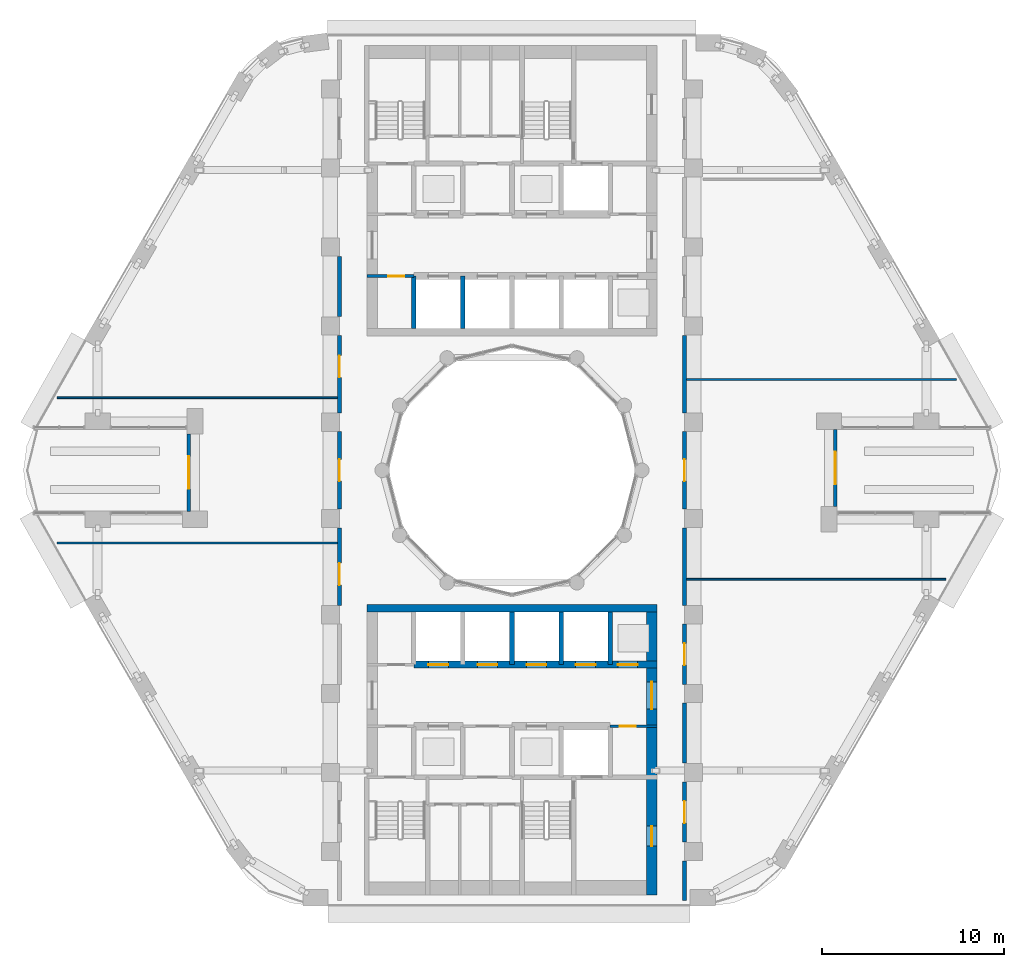
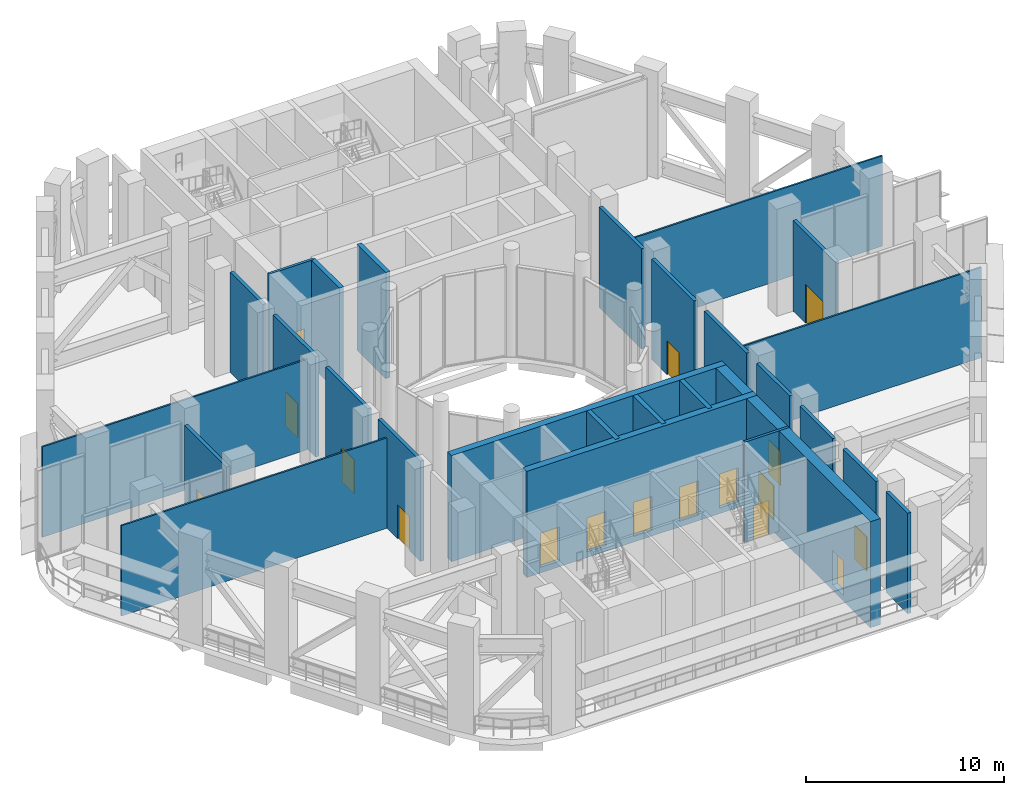
# One storey, part 9 of 21: 27 walls, 17 doors, 17 openings.
"""IFC4 building model written with IfcOpenShell, lengths in metres."""

from ifc_helpers import new_model, si_unit, direction, frame, frame_2d, origin, place, context, subcontext, project, spatial, rectangle, extrude, material, layer, layer_set, type_object, element, fill, save


model = new_model("IFC4")

# Units and contexts
model_context = context("Model", 3, precision=1e-05, world=origin(), true_north=direction((0.0, 1.0)))
body_context = subcontext(model_context, "Body", "Model", "MODEL_VIEW")
ifc_project = project(units=[si_unit("LENGTHUNIT", "METRE"), si_unit("AREAUNIT", "SQUARE_METRE"), si_unit("VOLUMEUNIT", "CUBIC_METRE"), si_unit("PLANEANGLEUNIT", "RADIAN"), si_unit("MASSUNIT", "GRAM", prefix="KILO")], contexts=[model_context])

# Site, building, storey
site_placement = place(None, origin())
site = spatial("IfcSite", under=ifc_project, at=site_placement, CompositionType="ELEMENT")
building_placement = place(site_placement, origin())
building = spatial("IfcBuilding", under=site, at=building_placement, Name="Nakaniwa Court", CompositionType="ELEMENT")
storey_placement = place(building_placement, frame((0.0, 0.0, 120.60009765625)))
storey = spatial("IfcBuildingStorey", under=building, at=storey_placement, Name="S2", CompositionType="ELEMENT", Elevation=120.60009765625)

# Wall
ifc_material_1 = material(Name="Acoustic double stud partition")
ifc_layer_1 = layer(ifc_material_1, 0.199951171875)
ifc_layer_set_1 = layer_set([ifc_layer_1], Name="Acoustic double stud partition")
wall_type_1 = type_object("IfcWallType", Name="Acoustic double stud partition 200", PredefinedType="PARTITIONING", material=ifc_layer_set_1)
wall_1_placement = place(storey_placement, frame((89.5, 56.300048828125, 0.0), z_axis=(0.0, 0.0, 1.0), x_axis=(0.0, 1.0, 0.0)))
element("IfcWall", 1, at=wall_1_placement, inside=storey, type_object=wall_type_1, Name="Partition PW-065", PredefinedType="PARTITIONING", context=body_context, shape_type="SweptSolid", body=[
    extrude(rectangle(XDim=2.182861328125, YDim=0.199951171875, at=frame_2d((1.09130859375, 0.0))), origin(), (0.0, 0.0, 1.0), 6.18994140625),
])

# Wall, opening, door
wall_2_placement = place(storey_placement, frame((89.5, 62.8330078125, 0.0), z_axis=(0.0, 0.0, 1.0), x_axis=(0.0, -1.0, 0.0)))
wall_2 = element("IfcWall", 2, at=wall_2_placement, inside=storey, type_object=wall_type_1, Name="Partition PW-066", PredefinedType="PARTITIONING", context=body_context, shape_type="SweptSolid", body=[
    extrude(rectangle(XDim=3.31591796875, YDim=0.199951171875, at=frame_2d((1.657958984375, 0.0))), origin(), (0.0, 0.0, 1.0), 6.18994140625),
])
opening_1_placement = place(wall_2_placement, frame((1.05810546875, 0.0, 0.0)))
opening_1 = element("IfcOpeningElement", 3, at=opening_1_placement, cuts=wall_2, Name="Opening D-35-01", PredefinedType="OPENING", context=body_context, shape_type="SweptSolid", body=[
    extrude(rectangle(XDim=1.199951171875, YDim=2.10009765625, at=frame_2d((0.60009765625, 1.050048828125))), frame((0.0, 0.10986328125, 0.0), z_axis=(0.0, -1.0, 0.0), x_axis=(1.0, 0.0, 0.0)), (0.0, 0.0, 1.0), 0.219970703125),
])
ifc_material_2 = material(Name="Fire rated steel door set", Category="steel")
door_type_1 = type_object("IfcDoorType", Name="Service room door 1200", OperationType="NOTDEFINED", PredefinedType="DOOR", material=ifc_material_2)
door_1_placement = place(opening_1_placement, origin())
door_1 = element("IfcDoor", 4, at=door_1_placement, inside=storey, type_object=door_type_1, Name="Door D-35-01 S2-021", OperationType="SINGLE_SWING_RIGHT", OverallHeight=2.10009765625, OverallWidth=1.199951171875, PredefinedType="DOOR", context=body_context, shape_type="SweptSolid", body=[
    extrude(rectangle(XDim=1.199951171875, YDim=2.10009765625, at=frame_2d((0.60009765625, 1.050048828125))), frame((0.0, 0.02490234375, 0.0), z_axis=(0.0, -1.0, 0.0), x_axis=(1.0, 0.0, 0.0)), (0.0, 0.0, 1.0), 0.050048828125),
])
fill(opening_1, door_1)

# Wall
wall_3_placement = place(storey_placement, frame((89.5, 63.8798828125, 0.0), z_axis=(0.0, 0.0, 1.0), x_axis=(0.0, 1.0, 0.0)))
element("IfcWall", 5, at=wall_3_placement, inside=storey, type_object=wall_type_1, Name="Partition PW-067", PredefinedType="PARTITIONING", context=body_context, shape_type="SweptSolid", body=[
    extrude(rectangle(XDim=3.30322265625, YDim=0.199951171875, at=frame_2d((1.651611328125, 0.0))), origin(), (0.0, 0.0, 1.0), 6.18994140625),
])

# Wall, opening, door
wall_4_placement = place(storey_placement, frame((89.5, 71.532958984375, 0.0), z_axis=(0.0, 0.0, 1.0), x_axis=(0.0, -1.0, 0.0)))
wall_4 = element("IfcWall", 6, at=wall_4_placement, inside=storey, type_object=wall_type_1, Name="Partition PW-068", PredefinedType="PARTITIONING", context=body_context, shape_type="SweptSolid", body=[
    extrude(rectangle(XDim=3.31591796875, YDim=0.199951171875, at=frame_2d((1.657958984375, 0.0))), origin(), (0.0, 0.0, 1.0), 6.18994140625),
])
opening_2_placement = place(wall_4_placement, frame((1.05810546875, 0.0, 0.0)))
opening_2 = element("IfcOpeningElement", 7, at=opening_2_placement, cuts=wall_4, Name="Opening D-30-01", PredefinedType="OPENING", context=body_context, shape_type="SweptSolid", body=[
    extrude(rectangle(XDim=1.199951171875, YDim=2.10009765625, at=frame_2d((0.60009765625, 1.050048828125))), frame((0.0, 0.10986328125, 0.0), z_axis=(0.0, -1.0, 0.0), x_axis=(1.0, 0.0, 0.0)), (0.0, 0.0, 1.0), 0.219970703125),
])
ifc_material_3 = material(Name="Solid core timber door set, black veneer", Category="wood")
door_type_2 = type_object("IfcDoorType", Name="Internal door 1200", OperationType="NOTDEFINED", PredefinedType="DOOR", material=ifc_material_3)
door_2_placement = place(opening_2_placement, origin())
door_2 = element("IfcDoor", 8, at=door_2_placement, inside=storey, type_object=door_type_2, Name="Door D-30-01 S2-022", OperationType="SINGLE_SWING_LEFT", OverallHeight=2.10009765625, OverallWidth=1.199951171875, PredefinedType="DOOR", context=body_context, shape_type="SweptSolid", body=[
    extrude(rectangle(XDim=1.199951171875, YDim=2.10009765625, at=frame_2d((0.60009765625, 1.050048828125))), frame((0.0, 0.02490234375, 0.0), z_axis=(0.0, -1.0, 0.0), x_axis=(1.0, 0.0, 0.0)), (0.0, 0.0, 1.0), 0.050048828125),
])
fill(opening_2, door_2)

# Wall
wall_5_placement = place(storey_placement, frame((89.5, 72.56689453125, 0.0), z_axis=(0.0, 0.0, 1.0), x_axis=(0.0, 1.0, 0.0)))
element("IfcWall", 9, at=wall_5_placement, inside=storey, type_object=wall_type_1, Name="Partition PW-069", PredefinedType="PARTITIONING", context=body_context, shape_type="SweptSolid", body=[
    extrude(rectangle(XDim=4.26611328125, YDim=0.199951171875, at=frame_2d((2.133056640625, 0.0))), origin(), (0.0, 0.0, 1.0), 6.18994140625),
])

# Wall, opening, door
wall_6_placement = place(storey_placement, frame((89.5, 82.133056640625, 0.0), z_axis=(0.0, 0.0, 1.0), x_axis=(0.0, -1.0, 0.0)))
wall_6 = element("IfcWall", 10, at=wall_6_placement, inside=storey, type_object=wall_type_1, Name="Partition PW-070", PredefinedType="PARTITIONING", context=body_context, shape_type="SweptSolid", body=[
    extrude(rectangle(XDim=4.26611328125, YDim=0.199951171875, at=frame_2d((2.133056640625, 0.0))), origin(), (0.0, 0.0, 1.0), 6.18994140625),
])
opening_3_placement = place(wall_6_placement, frame((1.532958984375, 0.0, 0.0)))
opening_3 = element("IfcOpeningElement", 11, at=opening_3_placement, cuts=wall_6, Name="Opening D-30-02", PredefinedType="OPENING", context=body_context, shape_type="SweptSolid", body=[
    extrude(rectangle(XDim=1.199951171875, YDim=2.10009765625, at=frame_2d((0.60009765625, 1.050048828125))), frame((0.0, 0.10986328125, 0.0), z_axis=(0.0, -1.0, 0.0), x_axis=(1.0, 0.0, 0.0)), (0.0, 0.0, 1.0), 0.219970703125),
])
door_3_placement = place(opening_3_placement, origin())
door_3 = element("IfcDoor", 12, at=door_3_placement, inside=storey, type_object=door_type_2, Name="Door D-30-02 S2-023", OperationType="SINGLE_SWING_RIGHT", OverallHeight=2.10009765625, OverallWidth=1.199951171875, PredefinedType="DOOR", context=body_context, shape_type="SweptSolid", body=[
    extrude(rectangle(XDim=1.199951171875, YDim=2.10009765625, at=frame_2d((0.60009765625, 1.050048828125))), frame((0.0, 0.02490234375, 0.0), z_axis=(0.0, -1.0, 0.0), x_axis=(1.0, 0.0, 0.0)), (0.0, 0.0, 1.0), 0.050048828125),
])
fill(opening_3, door_3)

# Wall
wall_7_placement = place(storey_placement, frame((89.5, 83.1669921875, 0.0), z_axis=(0.0, 0.0, 1.0), x_axis=(0.0, 1.0, 0.0)))
element("IfcWall", 13, at=wall_7_placement, inside=storey, type_object=wall_type_1, Name="Partition PW-071", PredefinedType="PARTITIONING", context=body_context, shape_type="SweptSolid", body=[
    extrude(rectangle(XDim=4.26611328125, YDim=0.199951171875, at=frame_2d((2.133056640625, 0.0))), origin(), (0.0, 0.0, 1.0), 6.18994140625),
])

# Wall, opening, door
wall_8_placement = place(storey_placement, frame((70.5, 72.56689453125, 0.0), z_axis=(0.0, 0.0, 1.0), x_axis=(0.0, 1.0, 0.0)))
wall_8 = element("IfcWall", 14, at=wall_8_placement, inside=storey, type_object=wall_type_1, Name="Partition PW-081", PredefinedType="PARTITIONING", context=body_context, shape_type="SweptSolid", body=[
    extrude(rectangle(XDim=4.26611328125, YDim=0.199951171875, at=frame_2d((2.133056640625, 0.0))), origin(), (0.0, 0.0, 1.0), 6.18994140625),
])
opening_4_placement = place(wall_8_placement, frame((1.117919921875, 0.0, 0.0)))
opening_4 = element("IfcOpeningElement", 15, at=opening_4_placement, cuts=wall_8, Name="Opening D-30-04", PredefinedType="OPENING", context=body_context, shape_type="SweptSolid", body=[
    extrude(rectangle(XDim=1.199951171875, YDim=2.10009765625, at=frame_2d((0.60009765625, 1.050048828125))), frame((0.0, 0.10986328125, 0.0), z_axis=(0.0, -1.0, 0.0), x_axis=(1.0, 0.0, 0.0)), (0.0, 0.0, 1.0), 0.219970703125),
])
door_4_placement = place(opening_4_placement, origin())
door_4 = element("IfcDoor", 16, at=door_4_placement, inside=storey, type_object=door_type_2, Name="Door D-30-04 S2-027", OperationType="SINGLE_SWING_RIGHT", OverallHeight=2.10009765625, OverallWidth=1.199951171875, PredefinedType="DOOR", context=body_context, shape_type="SweptSolid", body=[
    extrude(rectangle(XDim=1.199951171875, YDim=2.10009765625, at=frame_2d((0.60009765625, 1.050048828125))), frame((0.0, 0.02490234375, 0.0), z_axis=(0.0, -1.0, 0.0), x_axis=(1.0, 0.0, 0.0)), (0.0, 0.0, 1.0), 0.050048828125),
])
fill(opening_4, door_4)

wall_9_placement = place(storey_placement, frame((70.5, 77.866943359375, 0.0), z_axis=(0.0, 0.0, 1.0), x_axis=(0.0, 1.0, 0.0)))
wall_9 = element("IfcWall", 17, at=wall_9_placement, inside=storey, type_object=wall_type_1, Name="Partition PW-082", PredefinedType="PARTITIONING", context=body_context, shape_type="SweptSolid", body=[
    extrude(rectangle(XDim=4.26611328125, YDim=0.199951171875, at=frame_2d((2.133056640625, 0.0))), origin(), (0.0, 0.0, 1.0), 6.18994140625),
])
opening_5_placement = place(wall_9_placement, frame((1.532958984375, 0.0, 0.0)))
opening_5 = element("IfcOpeningElement", 18, at=opening_5_placement, cuts=wall_9, Name="Opening D-35-04", PredefinedType="OPENING", context=body_context, shape_type="SweptSolid", body=[
    extrude(rectangle(XDim=1.199951171875, YDim=2.10009765625, at=frame_2d((0.60009765625, 1.050048828125))), frame((0.0, 0.10986328125, 0.0), z_axis=(0.0, -1.0, 0.0), x_axis=(1.0, 0.0, 0.0)), (0.0, 0.0, 1.0), 0.219970703125),
])
door_5_placement = place(opening_5_placement, origin())
door_5 = element("IfcDoor", 19, at=door_5_placement, inside=storey, type_object=door_type_1, Name="Door D-35-04 S2-028", OperationType="SINGLE_SWING_LEFT", OverallHeight=2.10009765625, OverallWidth=1.199951171875, PredefinedType="DOOR", context=body_context, shape_type="SweptSolid", body=[
    extrude(rectangle(XDim=1.199951171875, YDim=2.10009765625, at=frame_2d((0.60009765625, 1.050048828125))), frame((0.0, 0.02490234375, 0.0), z_axis=(0.0, -1.0, 0.0), x_axis=(1.0, 0.0, 0.0)), (0.0, 0.0, 1.0), 0.050048828125),
])
fill(opening_5, door_5)

wall_10_placement = place(storey_placement, frame((70.5, 83.1669921875, 0.0), z_axis=(0.0, 0.0, 1.0), x_axis=(0.0, 1.0, 0.0)))
wall_10 = element("IfcWall", 20, at=wall_10_placement, inside=storey, type_object=wall_type_1, Name="Partition PW-083", PredefinedType="PARTITIONING", context=body_context, shape_type="SweptSolid", body=[
    extrude(rectangle(XDim=4.26611328125, YDim=0.199951171875, at=frame_2d((2.133056640625, 0.0))), origin(), (0.0, 0.0, 1.0), 6.18994140625),
])
opening_6_placement = place(wall_10_placement, frame((1.947998046875, 0.0, 0.0)))
opening_6 = element("IfcOpeningElement", 21, at=opening_6_placement, cuts=wall_10, Name="Opening D-35-05", PredefinedType="OPENING", context=body_context, shape_type="SweptSolid", body=[
    extrude(rectangle(XDim=1.199951171875, YDim=2.10009765625, at=frame_2d((0.60009765625, 1.050048828125))), frame((0.0, 0.10986328125, 0.0), z_axis=(0.0, -1.0, 0.0), x_axis=(1.0, 0.0, 0.0)), (0.0, 0.0, 1.0), 0.219970703125),
])
door_6_placement = place(opening_6_placement, origin())
door_6 = element("IfcDoor", 22, at=door_6_placement, inside=storey, type_object=door_type_1, Name="Door D-35-05 S2-029", OperationType="SINGLE_SWING_RIGHT", OverallHeight=2.10009765625, OverallWidth=1.199951171875, PredefinedType="DOOR", context=body_context, shape_type="SweptSolid", body=[
    extrude(rectangle(XDim=1.199951171875, YDim=2.10009765625, at=frame_2d((0.60009765625, 1.050048828125))), frame((0.0, 0.02490234375, 0.0), z_axis=(0.0, -1.0, 0.0), x_axis=(1.0, 0.0, 0.0)), (0.0, 0.0, 1.0), 0.050048828125),
])
fill(opening_6, door_6)

# Wall
wall_11_placement = place(storey_placement, frame((70.5, 88.467041015625, 0.0), z_axis=(0.0, 0.0, 1.0), x_axis=(0.0, 1.0, 0.0)))
element("IfcWall", 23, at=wall_11_placement, inside=storey, type_object=wall_type_1, Name="Partition PW-084", PredefinedType="PARTITIONING", context=body_context, shape_type="SweptSolid", body=[
    extrude(rectangle(XDim=3.31591796875, YDim=0.199951171875, at=frame_2d((1.657958984375, 0.0))), origin(), (0.0, 0.0, 1.0), 6.18994140625),
])

# Wall, opening, door
ifc_material_4 = material(Name="Charcoal ceramic cladding")
ifc_layer_2 = layer(ifc_material_4, 0.02, Name="Ceramic cladding")
ifc_material_5 = material(Name="Ventilated air cavity")
ifc_layer_3 = layer(ifc_material_5, 0.04, ventilated=True, Name="Ventilated cavity")
ifc_material_6 = material(Name="Mineral wool insulation")
ifc_layer_4 = layer(ifc_material_6, 0.05, Name="Insulation")
ifc_material_7 = material(Name="Cement bonded sheathing board")
ifc_layer_5 = layer(ifc_material_7, 0.012, Name="Sheathing")
ifc_material_8 = material(Name="Cold-formed galvanised stud frame with mineral wool infill")
ifc_layer_6 = layer(ifc_material_8, 0.05, Name="Stud frame")
ifc_material_9 = material(Name="Fire-rated gypsum plasterboard lining")
ifc_layer_7 = layer(ifc_material_9, 0.028, Name="Lining")
ifc_layer_set_2 = layer_set([ifc_layer_2, ifc_layer_3, ifc_layer_4, ifc_layer_5, ifc_layer_6, ifc_layer_7], Name="Charcoal ceramic faced external wall system")
wall_type_2 = type_object("IfcWallType", Name="Black ceramic faced external wall 200", PredefinedType="SOLIDWALL", material=ifc_layer_set_2)
wall_12_placement = place(storey_placement, frame((62.191650390625, 82.00390625, 0.0), z_axis=(0.0, 0.0, 1.0), x_axis=(0.0, -1.0, 0.0)))
wall_12 = element("IfcWall", 24, at=wall_12_placement, inside=storey, type_object=wall_type_2, Name="S2 sky garden terrace wall 1", PredefinedType="SOLIDWALL", context=body_context, shape_type="SweptSolid", body=[
    extrude(rectangle(XDim=4.2578125, YDim=0.199951171875, at=frame_2d((2.12890625, 0.0))), origin(), (0.0, 0.0, 1.0), 5.58984375),
])
opening_7_placement = place(wall_12_placement, frame((1.22900390625, 0.0, 0.0)))
opening_7 = element("IfcOpeningElement", 25, at=opening_7_placement, cuts=wall_12, Name="Opening XD11.01", PredefinedType="OPENING", context=body_context, shape_type="SweptSolid", body=[
    extrude(rectangle(XDim=1.800048828125, YDim=2.39990234375, at=frame_2d((0.89990234375, 1.199951171875))), frame((0.0, 0.10986328125, 0.0), z_axis=(0.0, -1.0, 0.0), x_axis=(1.0, 0.0, 0.0)), (0.0, 0.0, 1.0), 0.219970703125),
])
ifc_material_10 = material(Name="Black powder-coated aluminium frame with dark laminated glass", Category="aluminium")
door_type_3 = type_object("IfcDoorType", Name="Terrace double door 1800x2400", OperationType="DOUBLE_DOOR_SINGLE_SWING", PredefinedType="DOOR", material=ifc_material_10)
door_7_placement = place(opening_7_placement, frame((1.800048828125, 0.0, 0.0), z_axis=(0.0, 0.0, 1.0), x_axis=(-1.0, 0.0, 0.0)))
door_7 = element("IfcDoor", 26, at=door_7_placement, inside=storey, type_object=door_type_3, Name="S2 terrace double door t1", OperationType="DOUBLE_DOOR_SINGLE_SWING", OverallHeight=2.39990234375, OverallWidth=1.800048828125, PredefinedType="DOOR", context=body_context, shape_type="SweptSolid", body=[
    extrude(rectangle(XDim=1.800048828125, YDim=2.39990234375, at=frame_2d((0.89990234375, 1.199951171875))), frame((0.0, 0.02490234375, 0.0), z_axis=(0.0, -1.0, 0.0), x_axis=(1.0, 0.0, 0.0)), (0.0, 0.0, 1.0), 0.050048828125),
])
fill(opening_7, door_7)

wall_13_placement = place(storey_placement, frame((97.808349609375, 77.99609375, 0.0), z_axis=(0.0, 0.0, 1.0), x_axis=(0.0, 1.0, 0.0)))
wall_13 = element("IfcWall", 27, at=wall_13_placement, inside=storey, type_object=wall_type_2, Name="S2 sky garden terrace wall 2", PredefinedType="SOLIDWALL", context=body_context, shape_type="SweptSolid", body=[
    extrude(rectangle(XDim=4.2578125, YDim=0.199951171875, at=frame_2d((2.12890625, 0.0))), origin(), (0.0, 0.0, 1.0), 5.58984375),
])
opening_8_placement = place(wall_13_placement, frame((1.22900390625, 0.0, 0.0)))
opening_8 = element("IfcOpeningElement", 28, at=opening_8_placement, cuts=wall_13, Name="Opening XD11.02", PredefinedType="OPENING", context=body_context, shape_type="SweptSolid", body=[
    extrude(rectangle(XDim=1.800048828125, YDim=2.39990234375, at=frame_2d((0.89990234375, 1.199951171875))), frame((0.0, 0.10986328125, 0.0), z_axis=(0.0, -1.0, 0.0), x_axis=(1.0, 0.0, 0.0)), (0.0, 0.0, 1.0), 0.219970703125),
])
door_8_placement = place(opening_8_placement, frame((1.800048828125, 0.0, 0.0), z_axis=(0.0, 0.0, 1.0), x_axis=(-1.0, 0.0, 0.0)))
door_8 = element("IfcDoor", 29, at=door_8_placement, inside=storey, type_object=door_type_3, Name="S2 terrace double door t2", OperationType="DOUBLE_DOOR_SINGLE_SWING", OverallHeight=2.39990234375, OverallWidth=1.800048828125, PredefinedType="DOOR", context=body_context, shape_type="SweptSolid", body=[
    extrude(rectangle(XDim=1.800048828125, YDim=2.39990234375, at=frame_2d((0.89990234375, 1.199951171875))), frame((0.0, 0.02490234375, 0.0), z_axis=(0.0, -1.0, 0.0), x_axis=(1.0, 0.0, 0.0)), (0.0, 0.0, 1.0), 0.050048828125),
])
fill(opening_8, door_8)

ifc_material_11 = material(Name="Blockwork partition", Category="masonry")
ifc_layer_8 = layer(ifc_material_11, 0.14990234375)
ifc_layer_set_3 = layer_set([ifc_layer_8], Name="Blockwork partition")
wall_type_3 = type_object("IfcWallType", Name="Blockwork partition 150", PredefinedType="PARTITIONING", material=ifc_layer_set_3)
wall_14_placement = place(storey_placement, frame((74.60009765625, 90.699951171875, 0.0), z_axis=(0.0, 0.0, 1.0), x_axis=(-1.0, 0.0, 0.0)))
wall_14 = element("IfcWall", 30, at=wall_14_placement, inside=storey, type_object=wall_type_3, Name="Partition PW-003", PredefinedType="PARTITIONING", context=body_context, shape_type="SweptSolid", body=[
    extrude(rectangle(XDim=2.60009765625, YDim=0.14990234375, at=frame_2d((1.300048828125, 0.0))), origin(), (0.0, 0.0, 1.0), 6.18994140625),
])
opening_9_placement = place(wall_14_placement, frame((0.52490234375, 0.0, 0.0)))
opening_9 = element("IfcOpeningElement", 31, at=opening_9_placement, cuts=wall_14, Name="Opening D-05-01", PredefinedType="OPENING", context=body_context, shape_type="SweptSolid", body=[
    extrude(rectangle(XDim=0.89990234375, YDim=2.10009765625, at=frame_2d((0.449951171875, 1.050048828125))), frame((0.0, 0.0849609375, 0.0), z_axis=(0.0, -1.0, 0.0), x_axis=(1.0, 0.0, 0.0)), (0.0, 0.0, 1.0), 0.169921875),
])
door_type_4 = type_object("IfcDoorType", Name="Service room door 900", OperationType="NOTDEFINED", PredefinedType="DOOR", material=ifc_material_2)
door_9_placement = place(opening_9_placement, origin())
door_9 = element("IfcDoor", 32, at=door_9_placement, inside=storey, type_object=door_type_4, Name="Door D-05-01 S2-001", OperationType="SINGLE_SWING_RIGHT", OverallHeight=2.10009765625, OverallWidth=0.89990234375, PredefinedType="DOOR", context=body_context, shape_type="SweptSolid", body=[
    extrude(rectangle(XDim=0.89990234375, YDim=2.10009765625, at=frame_2d((0.449951171875, 1.050048828125))), frame((0.0, 0.02490234375, 0.0), z_axis=(0.0, -1.0, 0.0), x_axis=(1.0, 0.0, 0.0)), (0.0, 0.0, 1.0), 0.050048828125),
])
fill(opening_9, door_9)

wall_15_placement = place(storey_placement, frame((88.0, 65.89990234375, 0.0), z_axis=(0.0, 0.0, 1.0), x_axis=(-1.0, 0.0, 0.0)))
wall_15 = element("IfcWall", 33, at=wall_15_placement, inside=storey, type_object=wall_type_3, Name="Partition PW-049", PredefinedType="PARTITIONING", context=body_context, shape_type="SweptSolid", body=[
    extrude(rectangle(XDim=2.60302734375, YDim=0.14990234375, at=frame_2d((1.301513671875, 0.0))), origin(), (0.0, 0.0, 1.0), 6.18994140625),
])
opening_10_placement = place(wall_15_placement, frame((1.175048828125, 0.0, 0.0)))
opening_10 = element("IfcOpeningElement", 34, at=opening_10_placement, cuts=wall_15, Name="Opening D-05-07", PredefinedType="OPENING", context=body_context, shape_type="SweptSolid", body=[
    extrude(rectangle(XDim=0.89990234375, YDim=2.10009765625, at=frame_2d((0.449951171875, 1.050048828125))), frame((0.0, 0.0849609375, 0.0), z_axis=(0.0, -1.0, 0.0), x_axis=(1.0, 0.0, 0.0)), (0.0, 0.0, 1.0), 0.169921875),
])
door_10_placement = place(opening_10_placement, origin())
door_10 = element("IfcDoor", 35, at=door_10_placement, inside=storey, type_object=door_type_4, Name="Door D-05-07 S2-014", OperationType="SINGLE_SWING_LEFT", OverallHeight=2.10009765625, OverallWidth=0.89990234375, PredefinedType="DOOR", context=body_context, shape_type="SweptSolid", body=[
    extrude(rectangle(XDim=0.89990234375, YDim=2.10009765625, at=frame_2d((0.449951171875, 1.050048828125))), frame((0.0, 0.02490234375, 0.0), z_axis=(0.0, -1.0, 0.0), x_axis=(1.0, 0.0, 0.0)), (0.0, 0.0, 1.0), 0.050048828125),
])
fill(opening_10, door_10)

# Wall, openings, doors
ifc_material_12 = material(Name="Concrete C80/100", Category="concrete")
ifc_layer_9 = layer(ifc_material_12, 0.60009765625)
ifc_layer_set_4 = layer_set([ifc_layer_9], Name="Concrete C80/100")
wall_type_4 = type_object("IfcWallType", Name="Concrete core side wall 600 C80", PredefinedType="SHEAR", material=ifc_layer_set_4)
wall_16_placement = place(storey_placement, frame((87.699951171875, 72.199951171875, -0.35009765625), z_axis=(0.0, 0.0, 1.0), x_axis=(0.0, -1.0, 0.0)))
wall_16 = element("IfcWall", 36, at=wall_16_placement, inside=storey, type_object=wall_type_4, Name="Core wall SW-46", PredefinedType="SHEAR", context=body_context, shape_type="SweptSolid", body=[
    extrude(rectangle(XDim=15.599853515625, YDim=0.60009765625, at=frame_2d((7.7998046875, 0.0))), origin(), (0.0, 0.0, 1.0), 6.5400390625),
])
opening_11_placement = place(wall_16_placement, frame((3.85009765625, 0.0, 0.35009765625)))
opening_11 = element("IfcOpeningElement", 37, at=opening_11_placement, cuts=wall_16, Name="Opening D-07-03", PredefinedType="OPENING", context=body_context, shape_type="SweptSolid", body=[
    extrude(rectangle(XDim=1.5, YDim=2.10009765625, at=frame_2d((0.75, 1.050048828125))), frame((0.0, 0.31005859375, 0.0), z_axis=(0.0, -1.0, 0.0), x_axis=(1.0, 0.0, 0.0)), (0.0, 0.0, 1.0), 0.6201171875),
])
opening_12_placement = place(wall_16_placement, frame((11.800048828125, 0.0, 0.35009765625)))
opening_12 = element("IfcOpeningElement", 38, at=opening_12_placement, cuts=wall_16, Name="Opening D-10-02", PredefinedType="OPENING", context=body_context, shape_type="SweptSolid", body=[
    extrude(rectangle(XDim=1.10009765625, YDim=2.10009765625, at=frame_2d((0.550048828125, 1.050048828125))), frame((0.0, 0.31005859375, 0.0), z_axis=(0.0, -1.0, 0.0), x_axis=(1.0, 0.0, 0.0)), (0.0, 0.0, 1.0), 0.6201171875),
])
door_type_5 = type_object("IfcDoorType", Name="Firefighting lobby door 1100", OperationType="NOTDEFINED", PredefinedType="DOOR", material=ifc_material_2)
door_11_placement = place(opening_12_placement, origin())
door_11 = element("IfcDoor", 39, at=door_11_placement, inside=storey, type_object=door_type_5, Name="Door D-10-02 S2-036", OperationType="SINGLE_SWING_LEFT", OverallHeight=2.10009765625, OverallWidth=1.10009765625, PredefinedType="DOOR", context=body_context, shape_type="SweptSolid", body=[
    extrude(rectangle(XDim=1.10009765625, YDim=2.10009765625, at=frame_2d((0.550048828125, 1.050048828125))), frame((0.0, 0.02490234375, 0.0), z_axis=(0.0, -1.0, 0.0), x_axis=(1.0, 0.0, 0.0)), (0.0, 0.0, 1.0), 0.050048828125),
])
fill(opening_12, door_11)
ifc_material_13 = material(Name="Glazed fire rated steel double door set", Category="steel")
door_type_6 = type_object("IfcDoorType", Name="Lobby double door 1500", OperationType="NOTDEFINED", PredefinedType="DOOR", material=ifc_material_13)
door_12_placement = place(opening_11_placement, origin())
door_12 = element("IfcDoor", 40, at=door_12_placement, inside=storey, type_object=door_type_6, Name="Door D-07-03 S2-034", OperationType="DOUBLE_DOOR_SINGLE_SWING", OverallHeight=2.10009765625, OverallWidth=1.5, PredefinedType="DOOR", context=body_context, shape_type="SweptSolid", body=[
    extrude(rectangle(XDim=1.5, YDim=2.10009765625, at=frame_2d((0.75, 1.050048828125))), frame((0.0, 0.02490234375, 0.0), z_axis=(0.0, -1.0, 0.0), x_axis=(1.0, 0.0, 0.0)), (0.0, 0.0, 1.0), 0.050048828125),
])
fill(opening_11, door_12)

ifc_layer_10 = layer(ifc_material_12, 0.39990234375)
ifc_layer_set_5 = layer_set([ifc_layer_10], Name="Concrete C80/100")
wall_type_5 = type_object("IfcWallType", Name="Concrete core spine wall 400 C80", PredefinedType="SHEAR", material=ifc_layer_set_5)
wall_17_placement = place(storey_placement, frame((74.60009765625, 69.300048828125, -0.35009765625), z_axis=(0.0, 0.0, 1.0), x_axis=(1.0, 0.0, 0.0)))
wall_17 = element("IfcWall", 41, at=wall_17_placement, inside=storey, type_object=wall_type_5, Name="Core wall SW-39", PredefinedType="SHEAR", context=body_context, shape_type="SweptSolid", body=[
    extrude(rectangle(XDim=13.39990234375, YDim=0.39990234375, at=frame_2d((6.699951171875, 0.0))), origin(), (0.0, 0.0, 1.0), 6.5400390625),
])
opening_13_placement = place(wall_17_placement, frame((0.800048828125, 0.0, 0.35009765625)))
opening_13 = element("IfcOpeningElement", 42, at=opening_13_placement, cuts=wall_17, Name="Opening LD09", PredefinedType="OPENING", context=body_context, shape_type="SweptSolid", body=[
    extrude(rectangle(XDim=1.10009765625, YDim=2.10009765625, at=frame_2d((0.550048828125, 1.050048828125))), frame((0.0, 0.2099609375, 0.0), z_axis=(0.0, -1.0, 0.0), x_axis=(1.0, 0.0, 0.0)), (0.0, 0.0, 1.0), 0.419921875),
])
opening_14_placement = place(wall_17_placement, frame((3.5, 0.0, 0.35009765625)))
opening_14 = element("IfcOpeningElement", 43, at=opening_14_placement, cuts=wall_17, Name="Opening LD10", PredefinedType="OPENING", context=body_context, shape_type="SweptSolid", body=[
    extrude(rectangle(XDim=1.10009765625, YDim=2.10009765625, at=frame_2d((0.550048828125, 1.050048828125))), frame((0.0, 0.2099609375, 0.0), z_axis=(0.0, -1.0, 0.0), x_axis=(1.0, 0.0, 0.0)), (0.0, 0.0, 1.0), 0.419921875),
])
opening_15_placement = place(wall_17_placement, frame((6.199951171875, 0.0, 0.35009765625)))
opening_15 = element("IfcOpeningElement", 44, at=opening_15_placement, cuts=wall_17, Name="Opening LD11", PredefinedType="OPENING", context=body_context, shape_type="SweptSolid", body=[
    extrude(rectangle(XDim=1.10009765625, YDim=2.10009765625, at=frame_2d((0.550048828125, 1.050048828125))), frame((0.0, 0.2099609375, 0.0), z_axis=(0.0, -1.0, 0.0), x_axis=(1.0, 0.0, 0.0)), (0.0, 0.0, 1.0), 0.419921875),
])
opening_16_placement = place(wall_17_placement, frame((8.89990234375, 0.0, 0.35009765625)))
opening_16 = element("IfcOpeningElement", 45, at=opening_16_placement, cuts=wall_17, Name="Opening LD12", PredefinedType="OPENING", context=body_context, shape_type="SweptSolid", body=[
    extrude(rectangle(XDim=1.10009765625, YDim=2.10009765625, at=frame_2d((0.550048828125, 1.050048828125))), frame((0.0, 0.2099609375, 0.0), z_axis=(0.0, -1.0, 0.0), x_axis=(1.0, 0.0, 0.0)), (0.0, 0.0, 1.0), 0.419921875),
])
opening_17_placement = place(wall_17_placement, frame((11.22509765625, 0.0, 0.35009765625)))
opening_17 = element("IfcOpeningElement", 46, at=opening_17_placement, cuts=wall_17, Name="Opening LD13", PredefinedType="OPENING", context=body_context, shape_type="SweptSolid", body=[
    extrude(rectangle(XDim=1.10009765625, YDim=2.10009765625, at=frame_2d((0.550048828125, 1.050048828125))), frame((0.0, 0.2099609375, 0.0), z_axis=(0.0, -1.0, 0.0), x_axis=(1.0, 0.0, 0.0)), (0.0, 0.0, 1.0), 0.419921875),
])
ifc_material_14 = material(Name="Stainless steel sliding lift landing door", Category="steel")
door_type_7 = type_object("IfcDoorType", Name="Lift landing door 1100", OperationType="NOTDEFINED", PredefinedType="DOOR", material=ifc_material_14)
door_13_placement = place(opening_13_placement, origin())
door_13 = element("IfcDoor", 47, at=door_13_placement, inside=storey, type_object=door_type_7, Name="Lift landing door LD09 S2-009", OperationType="SLIDING_TO_LEFT", OverallHeight=2.10009765625, OverallWidth=1.10009765625, PredefinedType="DOOR", context=body_context, shape_type="SweptSolid", body=[
    extrude(rectangle(XDim=1.10009765625, YDim=2.10009765625, at=frame_2d((0.550048828125, 1.050048828125))), frame((0.0, 0.02490234375, 0.0), z_axis=(0.0, -1.0, 0.0), x_axis=(1.0, 0.0, 0.0)), (0.0, 0.0, 1.0), 0.050048828125),
])
fill(opening_13, door_13)
door_14_placement = place(opening_14_placement, origin())
door_14 = element("IfcDoor", 48, at=door_14_placement, inside=storey, type_object=door_type_7, Name="Lift landing door LD10 S2-010", OperationType="SLIDING_TO_LEFT", OverallHeight=2.10009765625, OverallWidth=1.10009765625, PredefinedType="DOOR", context=body_context, shape_type="SweptSolid", body=[
    extrude(rectangle(XDim=1.10009765625, YDim=2.10009765625, at=frame_2d((0.550048828125, 1.050048828125))), frame((0.0, 0.02490234375, 0.0), z_axis=(0.0, -1.0, 0.0), x_axis=(1.0, 0.0, 0.0)), (0.0, 0.0, 1.0), 0.050048828125),
])
fill(opening_14, door_14)
door_15_placement = place(opening_15_placement, origin())
door_15 = element("IfcDoor", 49, at=door_15_placement, inside=storey, type_object=door_type_7, Name="Lift landing door LD11 S2-011", OperationType="SLIDING_TO_LEFT", OverallHeight=2.10009765625, OverallWidth=1.10009765625, PredefinedType="DOOR", context=body_context, shape_type="SweptSolid", body=[
    extrude(rectangle(XDim=1.10009765625, YDim=2.10009765625, at=frame_2d((0.550048828125, 1.050048828125))), frame((0.0, 0.02490234375, 0.0), z_axis=(0.0, -1.0, 0.0), x_axis=(1.0, 0.0, 0.0)), (0.0, 0.0, 1.0), 0.050048828125),
])
fill(opening_15, door_15)
door_16_placement = place(opening_16_placement, origin())
door_16 = element("IfcDoor", 50, at=door_16_placement, inside=storey, type_object=door_type_7, Name="Lift landing door LD12 S2-012", OperationType="SLIDING_TO_LEFT", OverallHeight=2.10009765625, OverallWidth=1.10009765625, PredefinedType="DOOR", context=body_context, shape_type="SweptSolid", body=[
    extrude(rectangle(XDim=1.10009765625, YDim=2.10009765625, at=frame_2d((0.550048828125, 1.050048828125))), frame((0.0, 0.02490234375, 0.0), z_axis=(0.0, -1.0, 0.0), x_axis=(1.0, 0.0, 0.0)), (0.0, 0.0, 1.0), 0.050048828125),
])
fill(opening_16, door_16)
door_17_placement = place(opening_17_placement, origin())
door_17 = element("IfcDoor", 51, at=door_17_placement, inside=storey, type_object=door_type_7, Name="Lift landing door LD13 S2-013", OperationType="SLIDING_TO_LEFT", OverallHeight=2.10009765625, OverallWidth=1.10009765625, PredefinedType="DOOR", context=body_context, shape_type="SweptSolid", body=[
    extrude(rectangle(XDim=1.10009765625, YDim=2.10009765625, at=frame_2d((0.550048828125, 1.050048828125))), frame((0.0, 0.02490234375, 0.0), z_axis=(0.0, -1.0, 0.0), x_axis=(1.0, 0.0, 0.0)), (0.0, 0.0, 1.0), 0.050048828125),
])
fill(opening_17, door_17)

# Walls
ifc_layer_11 = layer(ifc_material_12, 0.39990234375)
ifc_layer_set_6 = layer_set([ifc_layer_11], Name="Concrete C80/100")
wall_type_6 = type_object("IfcWallType", Name="Concrete core well wall 400 C80", PredefinedType="SHEAR", material=ifc_layer_set_6)
wall_18_placement = place(storey_placement, frame((72.00390625, 72.39990234375, -0.35009765625), z_axis=(0.0, 0.0, 1.0), x_axis=(1.0, 0.0, 0.0)))
element("IfcWall", 52, at=wall_18_placement, inside=storey, type_object=wall_type_6, Name="Core wall SW-93", PredefinedType="SHEAR", context=body_context, shape_type="SweptSolid", body=[
    extrude(rectangle(XDim=15.9921875, YDim=0.39990234375, at=frame_2d((7.99609375, 0.0))), origin(), (0.0, 0.0, 1.0), 6.5400390625),
])
ifc_layer_12 = layer(ifc_material_12, 0.25)
ifc_layer_set_7 = layer_set([ifc_layer_12], Name="Concrete C80/100")
wall_type_7 = type_object("IfcWallType", Name="Concrete shaft wall 250 C80", PredefinedType="SHEAR", material=ifc_layer_set_7)
for number, where, z_axis, x_axis, name in (
    (53, (74.60009765625, 87.800048828125, -0.35009765625), (0.0, 0.0, 1.0), (0.0, 1.0, 0.0), "Core wall SW-01"),
    (54, (77.300048828125, 87.800048828125, -0.35009765625), (0.0, 0.0, 1.0), (0.0, 1.0, 0.0), "Core wall SW-05"),
    (55, (80.0, 69.300048828125, -0.35009765625), (0.0, 0.0, 1.0), (0.0, 1.0, 0.0), "Core wall SW-41"),
    (56, (82.699951171875, 69.300048828125, -0.35009765625), (0.0, 0.0, 1.0), (0.0, 1.0, 0.0), "Core wall SW-43"),
    (57, (85.39990234375, 69.300048828125, -0.35009765625), (0.0, 0.0, 1.0), (0.0, 1.0, 0.0), "Core wall SW-45"),
):
    element("IfcWall", number, at=place(storey_placement, frame(where, z_axis=z_axis, x_axis=x_axis)), inside=storey, type_object=wall_type_7, Name=name, PredefinedType="SHEAR", context=body_context, shape_type="SweptSolid", body=[
        extrude(rectangle(XDim=2.89990234375, YDim=0.25, at=frame_2d((1.449951171875, 0.0))), origin(), (0.0, 0.0, 1.0), 6.5400390625),
    ])
ifc_material_15 = material(Name="Single stud plasterboard partition")
ifc_layer_13 = layer(ifc_material_15, 0.10009765625)
ifc_layer_set_8 = layer_set([ifc_layer_13], Name="Single stud plasterboard partition")
wall_type_8 = type_object("IfcWallType", Name="Single stud plasterboard partition 100", PredefinedType="PARTITIONING", material=ifc_layer_set_8)
wall_19_placement = place(storey_placement, frame((89.5, 74.0, 0.0), z_axis=(0.0, 0.0, 1.0), x_axis=(1.0, 0.0, 0.0)))
element("IfcWall", 58, at=wall_19_placement, inside=storey, type_object=wall_type_8, Name="Partition PW-076", PredefinedType="PARTITIONING", context=body_context, shape_type="SweptSolid", body=[
    extrude(rectangle(XDim=14.40234375, YDim=0.10009765625, at=frame_2d((7.201171875, 0.0))), origin(), (0.0, 0.0, 1.0), 5.56982421875),
])
wall_20_placement = place(storey_placement, frame((89.5, 85.0, 0.0), z_axis=(0.0, 0.0, 1.0), x_axis=(1.0, 0.0, 0.0)))
element("IfcWall", 59, at=wall_20_placement, inside=storey, type_object=wall_type_8, Name="Partition PW-077", PredefinedType="PARTITIONING", context=body_context, shape_type="SweptSolid", body=[
    extrude(rectangle(XDim=14.9794921875, YDim=0.10009765625, at=frame_2d((7.48974609375, 0.0))), origin(), (0.0, 0.0, 1.0), 5.56982421875),
])
for number, where, z_axis, x_axis, name in (
    (60, (54.943115234375, 76.0, 0.0), (0.0, 0.0, 1.0), (1.0, 0.0, 0.0), "Partition PW-087"),
    (61, (54.943115234375, 84.0, 0.0), (0.0, 0.0, 1.0), (1.0, 0.0, 0.0), "Partition PW-088"),
):
    element("IfcWall", number, at=place(storey_placement, frame(where, z_axis=z_axis, x_axis=x_axis)), inside=storey, type_object=wall_type_8, Name=name, PredefinedType="PARTITIONING", context=body_context, shape_type="SweptSolid", body=[
        extrude(rectangle(XDim=15.556884765625, YDim=0.10009765625, at=frame_2d((7.7783203125, 0.0))), origin(), (0.0, 0.0, 1.0), 5.56982421875),
    ])

save(model, "model.ifc")
